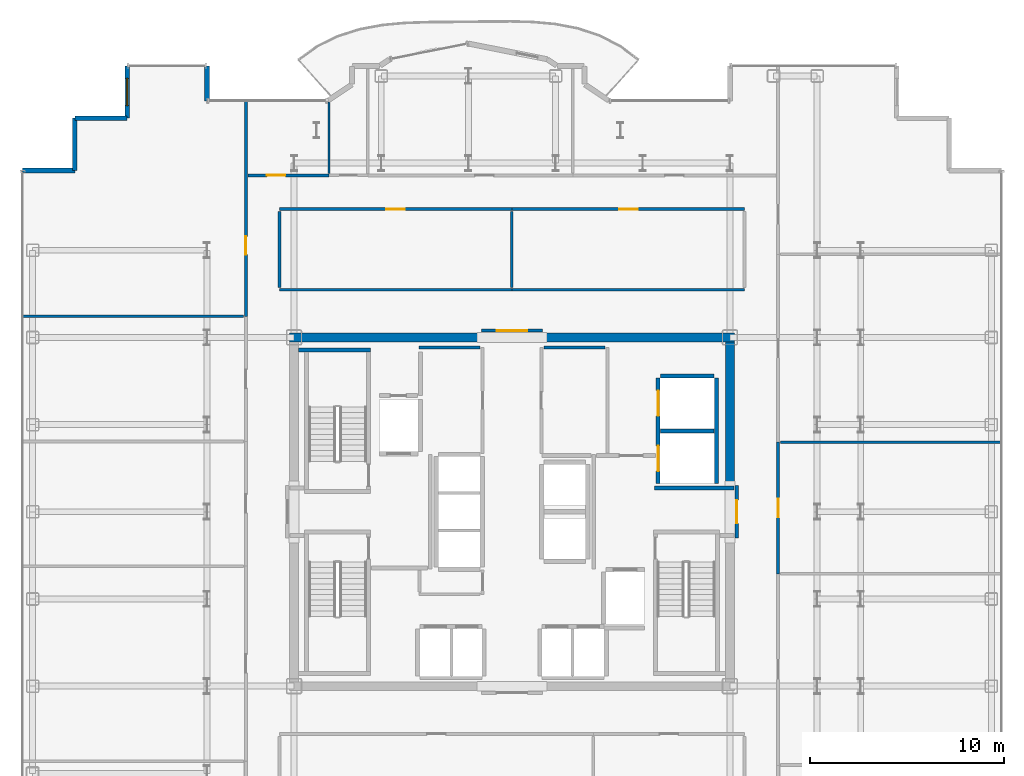
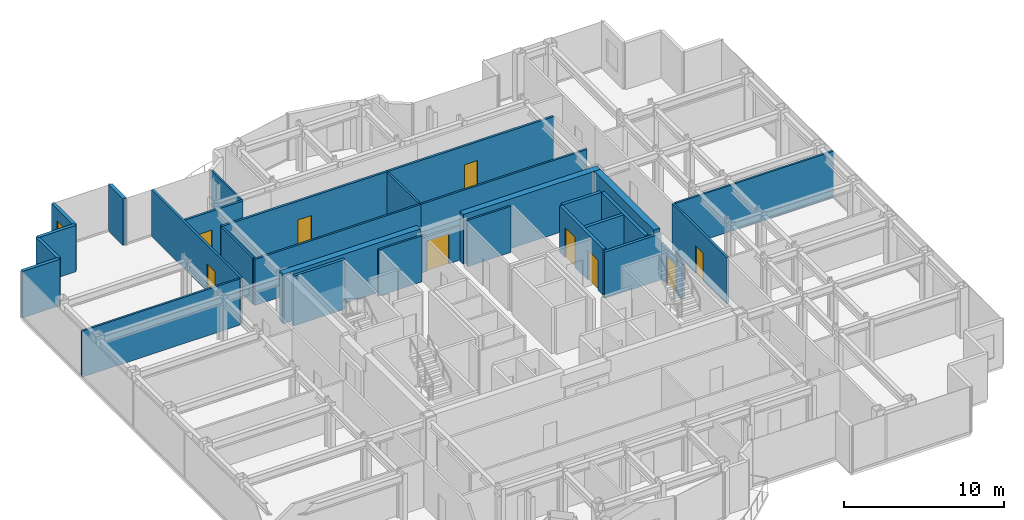
# One storey, part 17 of 20: 30 walls, 9 doors, 1 window, 10 openings.
"""IFC4 building model written with IfcOpenShell, lengths in metres."""

from ifc_helpers import new_model, si_unit, direction, frame, frame_2d, origin, place, context, subcontext, project, spatial, rectangle, extrude, source, transform, mapped, material, layer, layer_set, type_object, element, fill, save


model = new_model("IFC4")

# Units and contexts
model_context = context("Model", 3, precision=1e-05, world=origin(), true_north=direction((0.0, 1.0)))
body_context = subcontext(model_context, "Body", "Model", "MODEL_VIEW")
ifc_project = project(units=[si_unit("LENGTHUNIT", "METRE"), si_unit("AREAUNIT", "SQUARE_METRE"), si_unit("VOLUMEUNIT", "CUBIC_METRE"), si_unit("PLANEANGLEUNIT", "RADIAN"), si_unit("MASSUNIT", "GRAM", prefix="KILO")], contexts=[model_context])

# Site, building, storey
site_placement = place(None, origin())
site = spatial("IfcSite", under=ifc_project, at=site_placement, CompositionType="ELEMENT")
building_placement = place(site_placement, origin())
building = spatial("IfcBuilding", under=site, at=building_placement, Name="Nefas-Gora Pilgrimage Tower", CompositionType="ELEMENT")
storey_placement = place(building_placement, frame((0.0, 0.0, 225.60009765625)))
storey = spatial("IfcBuildingStorey", under=building, at=storey_placement, Name="L56", CompositionType="ELEMENT", Elevation=225.60009765625)

# Walls
ifc_material_1 = material(Name="Concrete C50/60", Category="concrete")
ifc_layer_1 = layer(ifc_material_1, 0.449951171875)
ifc_layer_set_1 = layer_set([ifc_layer_1], Name="Concrete C50/60")
wall_type_1 = type_object("IfcWallType", Name="SW-CORE-450", PredefinedType="SHEAR", material=ifc_layer_set_1)
shared_shape_1 = source(origin(), body_context, "Body", "SweptSolid", [
    extrude(rectangle(XDim=9.925048828125, YDim=0.449951171875, at=frame_2d((4.96240234375, 0.0))), origin(), (0.0, 0.0, 1.0), 3.7998046875),
])
for number, where, z_axis, x_axis, name in (
    (1, (-11.47509765625, 9.0, 0.0), (0.0, 0.0, 1.0), (1.0, 0.0, 0.0), "L56 Core Shear Wall N-West"),
    (2, (1.550048828125, 9.0, 0.0), (0.0, 0.0, 1.0), (1.0, 0.0, 0.0), "L56 Core Shear Wall N-East"),
):
    element("IfcWall", number, at=place(storey_placement, frame(where, z_axis=z_axis, x_axis=x_axis)), inside=storey, type_object=wall_type_1, Name=name, PredefinedType="SHEAR", context=body_context, shape_type="MappedRepresentation", body=[
        mapped(shared_shape_1, transform((0.0, 0.0, 0.0), x_axis=(1.0, 0.0, 0.0), y_axis=(0.0, 1.0, 0.0), z_axis=(0.0, 0.0, 1.0), scale=1.0)),
    ])
shared_shape_2 = source(origin(), body_context, "Body", "SweptSolid", [
    extrude(rectangle(XDim=7.4248046875, YDim=0.449951171875, at=frame_2d((3.71240234375, 0.0))), origin(), (0.0, 0.0, 1.0), 3.7998046875),
])
wall_1_placement = place(storey_placement, frame((11.25, 1.35009765625, 0.0), z_axis=(0.0, 0.0, 1.0), x_axis=(0.0, 1.0, 0.0)))
element("IfcWall", 3, at=wall_1_placement, inside=storey, type_object=wall_type_1, Name="L56 Core Shear Wall E-North", PredefinedType="SHEAR", context=body_context, shape_type="MappedRepresentation", body=[
    mapped(shared_shape_2, transform((0.0, 0.0, 0.0), x_axis=(1.0, 0.0, 0.0), y_axis=(0.0, 1.0, 0.0), z_axis=(0.0, 0.0, 1.0), scale=1.0)),
])
ifc_material_2 = material(Name="Precast concrete C40/50", Category="concrete")
ifc_layer_2 = layer(ifc_material_2, 0.260009765625)
ifc_layer_set_2 = layer_set([ifc_layer_2], Name="Precast concrete C40/50")
wall_type_2 = type_object("IfcWallType", Name="EW-PORTAL-260", PredefinedType="SOLIDWALL", material=ifc_layer_set_2)
shared_shape_3 = source(origin(), body_context, "Body", "SweptSolid", [
    extrude(rectangle(XDim=1.800048828125, YDim=0.260009765625, at=frame_2d((0.89990234375, 0.0))), origin(), (0.0, 0.0, 1.0), 3.5498046875),
])
wall_2_placement = place(storey_placement, frame((-15.75, 21.219970703125, 0.0), z_axis=(0.0, 0.0, 1.0), x_axis=(0.0, 1.0, 0.0)))
element("IfcWall", 4, at=wall_2_placement, inside=storey, type_object=wall_type_2, Name="L56 Lobe Shoulder Precast Spandrel Pier 20", PredefinedType="SOLIDWALL", context=body_context, shape_type="MappedRepresentation", body=[
    mapped(shared_shape_3, transform((0.0, 0.0, 0.0), x_axis=(1.0, 0.0, 0.0), y_axis=(0.0, 1.0, 0.0), z_axis=(0.0, 0.0, 1.0), scale=1.0)),
])

# Wall, opening, window
ifc_material_3 = material(Name="Precast concrete C45/55", Category="concrete")
ifc_layer_3 = layer(ifc_material_3, 0.239990234375)
ifc_layer_set_3 = layer_set([ifc_layer_3], Name="Precast concrete C45/55")
wall_type_3 = type_object("IfcWallType", Name="EW-SERR-240", PredefinedType="SHEAR", material=ifc_layer_set_3)
shared_shape_4 = source(origin(), body_context, "Body", "SweptSolid", [
    extrude(rectangle(XDim=2.699951171875, YDim=0.239990234375, at=frame_2d((1.35009765625, 0.0))), origin(), (0.0, 0.0, 1.0), 3.5498046875),
])
wall_3_placement = place(storey_placement, frame((-19.8701171875, 23.02001953125, 0.0), z_axis=(0.0, 0.0, 1.0), x_axis=(0.0, -1.0, 0.0)))
wall_3 = element("IfcWall", 5, at=wall_3_placement, inside=storey, type_object=wall_type_3, Name="L56 Serrated Corner Shear Pier Wall 21", PredefinedType="SHEAR", context=body_context, shape_type="MappedRepresentation", body=[
    mapped(shared_shape_4, transform((0.0, 0.0, 0.0), x_axis=(1.0, 0.0, 0.0), y_axis=(0.0, 1.0, 0.0), z_axis=(0.0, 0.0, 1.0), scale=1.0)),
])
opening_1_placement = place(wall_3_placement, frame((0.64990234375, 0.0, 0.85009765625)))
opening_1 = element("IfcOpeningElement", 6, at=opening_1_placement, cuts=wall_3, Name="Opening W-V2", PredefinedType="OPENING", context=body_context, shape_type="SweptSolid", body=[
    extrude(rectangle(XDim=1.39990234375, YDim=1.800048828125, at=frame_2d((0.699951171875, 0.89990234375))), frame((0.0, 0.1298828125, 0.0), z_axis=(0.0, -1.0, 0.0), x_axis=(1.0, 0.0, 0.0)), (0.0, 0.0, 1.0), 0.260009765625),
])
ifc_material_4 = material(Name="Dark ceramic-fritted operable aluminium-glass window", Category="aluminium")
window_type = type_object("IfcWindowType", Name="WIN-VENT-1400x1800", PartitioningType="SINGLE_PANEL", PredefinedType="WINDOW", material=ifc_material_4)
shared_shape_5 = source(origin(), body_context, "Body", "SweptSolid", [
    extrude(rectangle(XDim=1.39990234375, YDim=1.800048828125, at=frame_2d((0.699951171875, 0.89990234375))), frame((0.0, 0.030029296875, 0.0), z_axis=(0.0, -1.0, 0.0), x_axis=(1.0, 0.0, 0.0)), (0.0, 0.0, 1.0), 0.06005859375),
])
window_placement = place(opening_1_placement, origin())
window = element("IfcWindow", 7, at=window_placement, inside=storey, type_object=window_type, Name="L56 Operable Parallel-Outswing Window 21", OverallHeight=1.800048828125, OverallWidth=1.39990234375, PartitioningType="SINGLE_PANEL", PredefinedType="WINDOW", context=body_context, shape_type="MappedRepresentation", body=[
    mapped(shared_shape_5, transform((0.0, 0.0, 0.0), x_axis=(1.0, 0.0, 0.0), y_axis=(0.0, 1.0, 0.0), z_axis=(0.0, 0.0, 1.0), scale=1.0)),
])
fill(opening_1, window)

# Walls
for number, where, z_axis, x_axis, name in (
    (8, (-19.8701171875, 20.320068359375, 0.0), (0.0, 0.0, 1.0), (-1.0, 0.0, 0.0), "L56 Serrated Corner Shear Pier Wall 22"),
    (9, (-22.570068359375, 20.320068359375, 0.0), (0.0, 0.0, 1.0), (0.0, -1.0, 0.0), "L56 Serrated Corner Shear Pier Wall 23"),
    (10, (-22.570068359375, 17.6201171875, 0.0), (0.0, 0.0, 1.0), (-1.0, 0.0, 0.0), "L56 Serrated Corner Shear Pier Wall 24"),
):
    element("IfcWall", number, at=place(storey_placement, frame(where, z_axis=z_axis, x_axis=x_axis)), inside=storey, type_object=wall_type_3, Name=name, PredefinedType="SHEAR", context=body_context, shape_type="MappedRepresentation", body=[
        mapped(shared_shape_4, transform((0.0, 0.0, 0.0), x_axis=(1.0, 0.0, 0.0), y_axis=(0.0, 1.0, 0.0), z_axis=(0.0, 0.0, 1.0), scale=1.0)),
    ])
ifc_material_5 = material(Name="Concrete C45/55", Category="concrete")
ifc_layer_4 = layer(ifc_material_5, 0.199951171875)
ifc_layer_set_4 = layer_set([ifc_layer_4], Name="Concrete C45/55")
wall_type_4 = type_object("IfcWallType", Name="IW-STAIR-200", PredefinedType="SOLIDWALL", material=ifc_layer_set_4)
shared_shape_6 = source(origin(), body_context, "Body", "SweptSolid", [
    extrude(rectangle(XDim=3.72998046875, YDim=0.199951171875, at=frame_2d((1.864990234375, 0.0))), origin(), (0.0, 0.0, 1.0), 3.7998046875),
])
wall_4_placement = place(storey_placement, frame((-7.300048828125, 8.35009765625, 0.0), z_axis=(0.0, 0.0, 1.0), x_axis=(-1.0, 0.0, 0.0)))
element("IfcWall", 11, at=wall_4_placement, inside=storey, type_object=wall_type_4, Name="L56 Stairwell Shear Wall ST-01-far", PredefinedType="SOLIDWALL", context=body_context, shape_type="MappedRepresentation", body=[
    mapped(shared_shape_6, transform((0.0, 0.0, 0.0), x_axis=(1.0, 0.0, 0.0), y_axis=(0.0, 1.0, 0.0), z_axis=(0.0, 0.0, 1.0), scale=1.0)),
])

# Wall, openings, doors
ifc_material_6 = material(Name="Concrete C40/50", Category="concrete")
ifc_layer_5 = layer(ifc_material_6, 0.219970703125)
ifc_layer_set_5 = layer_set([ifc_layer_5], Name="Concrete C40/50")
wall_type_5 = type_object("IfcWallType", Name="IW-SHAFT-220", PredefinedType="SOLIDWALL", material=ifc_layer_set_5)
shared_shape_7 = source(origin(), body_context, "Body", "SweptSolid", [
    extrude(rectangle(XDim=5.449951171875, YDim=0.219970703125, at=frame_2d((2.72509765625, 0.0))), origin(), (0.0, 0.0, 1.0), 3.534912109375),
])
wall_5_placement = place(storey_placement, frame((7.5400390625, 6.89990234375, 0.0), z_axis=(0.0, 0.0, 1.0), x_axis=(0.0, -1.0, 0.0)))
wall_5 = element("IfcWall", 12, at=wall_5_placement, inside=storey, type_object=wall_type_5, Name="L56 Hoistway Wall SL-01-02-W", PredefinedType="SOLIDWALL", context=body_context, shape_type="MappedRepresentation", body=[
    mapped(shared_shape_7, transform((0.0, 0.0, 0.0), x_axis=(1.0, 0.0, 0.0), y_axis=(0.0, 1.0, 0.0), z_axis=(0.0, 0.0, 1.0), scale=1.0)),
])
opening_2_placement = place(wall_5_placement, frame((3.5, 0.0, 0.0)))
opening_2 = element("IfcOpeningElement", 13, at=opening_2_placement, cuts=wall_5, Name="Opening LD-SV", PredefinedType="OPENING", context=body_context, shape_type="SweptSolid", body=[
    extrude(rectangle(XDim=1.300048828125, YDim=2.300048828125, at=frame_2d((0.64990234375, 1.14990234375))), frame((0.0, 0.119873046875, 0.0), z_axis=(0.0, -1.0, 0.0), x_axis=(1.0, 0.0, 0.0)), (0.0, 0.0, 1.0), 0.239990234375),
])
opening_3_placement = place(wall_5_placement, frame((0.64990234375, 0.0, 0.0)))
opening_3 = element("IfcOpeningElement", 14, at=opening_3_placement, cuts=wall_5, Name="Opening LD-SV", PredefinedType="OPENING", context=body_context, shape_type="SweptSolid", body=[
    extrude(rectangle(XDim=1.300048828125, YDim=2.300048828125, at=frame_2d((0.64990234375, 1.14990234375))), frame((0.0, 0.119873046875, 0.0), z_axis=(0.0, -1.0, 0.0), x_axis=(1.0, 0.0, 0.0)), (0.0, 0.0, 1.0), 0.239990234375),
])
ifc_material_7 = material(Name="Heavy goods sliding lift landing door")
door_type_1 = type_object("IfcDoorType", Name="DR-LIFT-SERV-1300", OperationType="SLIDING_TO_RIGHT", PredefinedType="DOOR", material=ifc_material_7)
shared_shape_8 = source(origin(), body_context, "Body", "SweptSolid", [
    extrude(rectangle(XDim=1.300048828125, YDim=2.300048828125, at=frame_2d((0.64990234375, 1.14990234375))), frame((0.0, 0.02490234375, 0.0), z_axis=(0.0, -1.0, 0.0), x_axis=(1.0, 0.0, 0.0)), (0.0, 0.0, 1.0), 0.050048828125),
])
door_1_placement = place(opening_2_placement, origin())
door_1 = element("IfcDoor", 15, at=door_1_placement, inside=storey, type_object=door_type_1, Name="L56 Sliding Lift Landing Door SL-01", OperationType="SLIDING_TO_RIGHT", OverallHeight=2.300048828125, OverallWidth=1.300048828125, PredefinedType="DOOR", context=body_context, shape_type="MappedRepresentation", body=[
    mapped(shared_shape_8, transform((0.0, 0.0, 0.0), x_axis=(1.0, 0.0, 0.0), y_axis=(0.0, 1.0, 0.0), z_axis=(0.0, 0.0, 1.0), scale=1.0)),
])
fill(opening_2, door_1)
door_2_placement = place(opening_3_placement, origin())
door_2 = element("IfcDoor", 16, at=door_2_placement, inside=storey, type_object=door_type_1, Name="L56 Sliding Lift Landing Door SL-02", OperationType="SLIDING_TO_RIGHT", OverallHeight=2.300048828125, OverallWidth=1.300048828125, PredefinedType="DOOR", context=body_context, shape_type="MappedRepresentation", body=[
    mapped(shared_shape_8, transform((0.0, 0.0, 0.0), x_axis=(1.0, 0.0, 0.0), y_axis=(0.0, 1.0, 0.0), z_axis=(0.0, 0.0, 1.0), scale=1.0)),
])
fill(opening_3, door_2)

# Walls
wall_6_placement = place(storey_placement, frame((10.56005859375, 1.449951171875, 0.0), z_axis=(0.0, 0.0, 1.0), x_axis=(0.0, 1.0, 0.0)))
element("IfcWall", 17, at=wall_6_placement, inside=storey, type_object=wall_type_5, Name="L56 Hoistway Wall SL-01-02-E", PredefinedType="SOLIDWALL", context=body_context, shape_type="MappedRepresentation", body=[
    mapped(shared_shape_7, transform((0.0, 0.0, 0.0), x_axis=(1.0, 0.0, 0.0), y_axis=(0.0, 1.0, 0.0), z_axis=(0.0, 0.0, 1.0), scale=1.0)),
])
shared_shape_9 = source(origin(), body_context, "Body", "SweptSolid", [
    extrude(rectangle(XDim=2.780029296875, YDim=0.219970703125, at=frame_2d((1.39013671875, 0.0))), origin(), (0.0, 0.0, 1.0), 3.534912109375),
])
for number, where, z_axis, x_axis, name in (
    (18, (7.659912109375, 4.175048828125, 0.0), (0.0, 0.0, 1.0), (1.0, 0.0, 0.0), "L56 Hoistway Wall SL-01-02-DIV"),
    (19, (10.43994140625, 7.010009765625, 0.0), (0.0, 0.0, 1.0), (-1.0, 0.0, 0.0), "L56 Hoistway Wall SL-02-N"),
):
    element("IfcWall", number, at=place(storey_placement, frame(where, z_axis=z_axis, x_axis=x_axis)), inside=storey, type_object=wall_type_5, Name=name, PredefinedType="SOLIDWALL", context=body_context, shape_type="MappedRepresentation", body=[
        mapped(shared_shape_9, transform((0.0, 0.0, 0.0), x_axis=(1.0, 0.0, 0.0), y_axis=(0.0, 1.0, 0.0), z_axis=(0.0, 0.0, 1.0), scale=1.0)),
    ])
ifc_material_8 = material(Name="Gypsum fire-rated shaftwall")
ifc_layer_6 = layer(ifc_material_8, 0.199951171875)
ifc_layer_set_6 = layer_set([ifc_layer_6], Name="Gypsum fire-rated shaftwall")
wall_type_6 = type_object("IfcWallType", Name="IW-FFLOB-200", PredefinedType="PARTITIONING", material=ifc_layer_set_6)
shared_shape_10 = source(origin(), body_context, "Body", "SweptSolid", [
    extrude(rectangle(XDim=4.10986328125, YDim=0.199951171875, at=frame_2d((2.054931640625, 0.0))), origin(), (0.0, 0.0, 1.0), 3.534912109375),
])
wall_7_placement = place(storey_placement, frame((7.35009765625, 1.219970703125, 0.0), z_axis=(0.0, 0.0, 1.0), x_axis=(1.0, 0.0, 0.0)))
element("IfcWall", 20, at=wall_7_placement, inside=storey, type_object=wall_type_6, Name="L56 FF Lobby East Throat N Wall 13", PredefinedType="PARTITIONING", context=body_context, shape_type="MappedRepresentation", body=[
    mapped(shared_shape_10, transform((0.0, 0.0, 0.0), x_axis=(1.0, 0.0, 0.0), y_axis=(0.0, 1.0, 0.0), z_axis=(0.0, 0.0, 1.0), scale=1.0)),
])
ifc_material_9 = material(Name="Gypsum twin-stud partition")
ifc_layer_7 = layer(ifc_material_9, 0.139892578125)
ifc_layer_set_7 = layer_set([ifc_layer_7], Name="Gypsum twin-stud partition")
wall_type_7 = type_object("IfcWallType", Name="IW-UNIT-140", PredefinedType="PARTITIONING", material=ifc_layer_set_7)
shared_shape_11 = source(origin(), body_context, "Body", "SweptSolid", [
    extrude(rectangle(XDim=3.150146484375, YDim=0.139892578125, at=frame_2d((1.5751953125, 0.0))), origin(), (0.0, 0.0, 1.0), 3.534912109375),
])
for number, where, z_axis, x_axis, name in (
    (21, (-4.7900390625, 8.47998046875, 0.0), (0.0, 0.0, 1.0), (1.0, 0.0, 0.0), "L56 Housekeeping and Linen Store Partition Wall 19"),
    (22, (1.639892578125, 8.47998046875, 0.0), (0.0, 0.0, 1.0), (1.0, 0.0, 0.0), "L56 Freed Bank-1 Amenity Supply Store Partition Wall 24"),
):
    element("IfcWall", number, at=place(storey_placement, frame(where, z_axis=z_axis, x_axis=x_axis)), inside=storey, type_object=wall_type_7, Name=name, PredefinedType="PARTITIONING", context=body_context, shape_type="MappedRepresentation", body=[
        mapped(shared_shape_11, transform((0.0, 0.0, 0.0), x_axis=(1.0, 0.0, 0.0), y_axis=(0.0, 1.0, 0.0), z_axis=(0.0, 0.0, 1.0), scale=1.0)),
    ])

# Wall, opening, door
ifc_material_10 = material(Name="Gypsum acoustic stud partition")
ifc_layer_8 = layer(ifc_material_10, 0.159912109375)
ifc_layer_set_8 = layer_set([ifc_layer_8], Name="Gypsum acoustic stud partition")
wall_type_8 = type_object("IfcWallType", Name="IW-CORR-160", PredefinedType="PARTITIONING", material=ifc_layer_set_8)
shared_shape_12 = source(origin(), body_context, "Body", "SweptSolid", [
    extrude(rectangle(XDim=11.152587890625, YDim=0.159912109375, at=frame_2d((5.576171875, 0.0))), origin(), (0.0, 0.0, 1.0), 3.534912109375),
])
wall_8_placement = place(storey_placement, frame((-13.739990234375, 10.08740234375, 0.0), z_axis=(0.0, 0.0, 1.0), x_axis=(0.0, 1.0, 0.0)))
wall_8 = element("IfcWall", 23, at=wall_8_placement, inside=storey, type_object=wall_type_8, Name="L56 Pilgrim Floor Concierge Foyer Partition Wall 32", PredefinedType="PARTITIONING", context=body_context, shape_type="MappedRepresentation", body=[
    mapped(shared_shape_12, transform((0.0, 0.0, 0.0), x_axis=(1.0, 0.0, 0.0), y_axis=(0.0, 1.0, 0.0), z_axis=(0.0, 0.0, 1.0), scale=1.0)),
])
opening_4_placement = place(wall_8_placement, frame((3.186279296875, 0.0, 0.0)))
opening_4 = element("IfcOpeningElement", 24, at=opening_4_placement, cuts=wall_8, Name="Opening ID-GR1", PredefinedType="OPENING", context=body_context, shape_type="SweptSolid", body=[
    extrude(rectangle(XDim=0.949951171875, YDim=2.10009765625, at=frame_2d((0.47509765625, 1.050048828125))), frame((0.0, 0.08984375, 0.0), z_axis=(0.0, -1.0, 0.0), x_axis=(1.0, 0.0, 0.0)), (0.0, 0.0, 1.0), 0.179931640625),
])
ifc_material_11 = material(Name="Solid core oak fire-rated guest entrance door")
door_type_2 = type_object("IfcDoorType", Name="DR-INT-GUEST-950", OperationType="NOTDEFINED", PredefinedType="DOOR", material=ifc_material_11)
shared_shape_13 = source(origin(), body_context, "Body", "SweptSolid", [
    extrude(rectangle(XDim=0.949951171875, YDim=2.10009765625, at=frame_2d((0.47509765625, 1.050048828125))), frame((0.0, 0.02490234375, 0.0), z_axis=(0.0, -1.0, 0.0), x_axis=(1.0, 0.0, 0.0)), (0.0, 0.0, 1.0), 0.050048828125),
])
door_3_placement = place(opening_4_placement, origin())
door_3 = element("IfcDoor", 25, at=door_3_placement, inside=storey, type_object=door_type_2, Name="L56 Pilgrim Floor Concierge Foyer Door 13", OperationType="SINGLE_SWING_LEFT", OverallHeight=2.10009765625, OverallWidth=0.949951171875, PredefinedType="DOOR", context=body_context, shape_type="MappedRepresentation", body=[
    mapped(shared_shape_13, transform((0.0, 0.0, 0.0), x_axis=(1.0, 0.0, 0.0), y_axis=(0.0, 1.0, 0.0), z_axis=(0.0, 0.0, 1.0), scale=1.0)),
])
fill(opening_4, door_3)

shared_shape_14 = source(origin(), body_context, "Body", "SweptSolid", [
    extrude(rectangle(XDim=6.81005859375, YDim=0.159912109375, at=frame_2d((3.405029296875, 0.0))), origin(), (0.0, 0.0, 1.0), 3.534912109375),
])
wall_9_placement = place(storey_placement, frame((13.739990234375, -3.205078125, 0.0), z_axis=(0.0, 0.0, 1.0), x_axis=(0.0, 1.0, 0.0)))
wall_9 = element("IfcWall", 26, at=wall_9_placement, inside=storey, type_object=wall_type_8, Name="L56 Pilgrim Fellowship Seminar Room Partition Wall 41", PredefinedType="PARTITIONING", context=body_context, shape_type="MappedRepresentation", body=[
    mapped(shared_shape_14, transform((0.0, 0.0, 0.0), x_axis=(1.0, 0.0, 0.0), y_axis=(0.0, 1.0, 0.0), z_axis=(0.0, 0.0, 1.0), scale=1.0)),
])
opening_5_placement = place(wall_9_placement, frame((2.929931640625, 0.0, 0.0)))
opening_5 = element("IfcOpeningElement", 27, at=opening_5_placement, cuts=wall_9, Name="Opening ID-GR1", PredefinedType="OPENING", context=body_context, shape_type="SweptSolid", body=[
    extrude(rectangle(XDim=0.949951171875, YDim=2.10009765625, at=frame_2d((0.47509765625, 1.050048828125))), frame((0.0, 0.08984375, 0.0), z_axis=(0.0, -1.0, 0.0), x_axis=(1.0, 0.0, 0.0)), (0.0, 0.0, 1.0), 0.179931640625),
])
door_4_placement = place(opening_5_placement, origin())
door_4 = element("IfcDoor", 28, at=door_4_placement, inside=storey, type_object=door_type_2, Name="L56 Pilgrim Fellowship Seminar Room Door 18", OperationType="SINGLE_SWING_RIGHT", OverallHeight=2.10009765625, OverallWidth=0.949951171875, PredefinedType="DOOR", context=body_context, shape_type="MappedRepresentation", body=[
    mapped(shared_shape_13, transform((0.0, 0.0, 0.0), x_axis=(1.0, 0.0, 0.0), y_axis=(0.0, 1.0, 0.0), z_axis=(0.0, 0.0, 1.0), scale=1.0)),
])
fill(opening_5, door_4)

# Walls
ifc_material_12 = material(Name="Moisture-resistant fire-rated gypsum partition")
ifc_layer_9 = layer(ifc_material_12, 0.1201171875)
ifc_layer_set_9 = layer_set([ifc_layer_9], Name="Moisture-resistant fire-rated gypsum partition")
wall_type_9 = type_object("IfcWallType", Name="IW-WET-120", PredefinedType="PLUMBINGWALL", material=ifc_layer_set_9)
shared_shape_15 = source(origin(), body_context, "Body", "SweptSolid", [
    extrude(rectangle(XDim=3.686767578125, YDim=0.1201171875, at=frame_2d((1.84326171875, 0.0))), origin(), (0.0, 0.0, 1.0), 3.534912109375),
])
wall_10_placement = place(storey_placement, frame((-9.449951171875, 17.469970703125, 0.0), z_axis=(0.0, 0.0, 1.0), x_axis=(0.0, 1.0, 0.0)))
element("IfcWall", 29, at=wall_10_placement, inside=storey, type_object=wall_type_9, Name="L56 Accessible Unisex WC Partition Wall 27", PredefinedType="PLUMBINGWALL", context=body_context, shape_type="MappedRepresentation", body=[
    mapped(shared_shape_15, transform((0.0, 0.0, 0.0), x_axis=(1.0, 0.0, 0.0), y_axis=(0.0, 1.0, 0.0), z_axis=(0.0, 0.0, 1.0), scale=1.0)),
])
shared_shape_16 = source(origin(), body_context, "Body", "SweptSolid", [
    extrude(rectangle(XDim=11.429931640625, YDim=0.139892578125, at=frame_2d((5.71484375, 0.0))), origin(), (0.0, 0.0, 1.0), 3.534912109375),
])
for number, where, z_axis, x_axis, name in (
    (30, (-25.2900390625, 10.097412109375, 0.0), (0.0, 0.0, 1.0), (1.0, 0.0, 0.0), "L56 Pilgrim Floor Concierge Foyer Partition Wall 33"),
    (31, (13.860107421875, 3.594970703125, 0.0), (0.0, 0.0, 1.0), (1.0, 0.0, 0.0), "L56 Pilgrim Fellowship Seminar Room Partition Wall 42"),
):
    element("IfcWall", number, at=place(storey_placement, frame(where, z_axis=z_axis, x_axis=x_axis)), inside=storey, type_object=wall_type_7, Name=name, PredefinedType="PARTITIONING", context=body_context, shape_type="MappedRepresentation", body=[
        mapped(shared_shape_16, transform((0.0, 0.0, 0.0), x_axis=(1.0, 0.0, 0.0), y_axis=(0.0, 1.0, 0.0), z_axis=(0.0, 0.0, 1.0), scale=1.0)),
    ])
shared_shape_17 = source(origin(), body_context, "Body", "SweptSolid", [
    extrude(rectangle(XDim=3.929931640625, YDim=0.139892578125, at=frame_2d((1.96484375, 0.0))), origin(), (0.0, 0.0, 1.0), 3.534912109375),
])
for number, where, z_axis, x_axis, name in (
    (32, (-12.0, 11.580078125, 0.0), (0.0, 0.0, 1.0), (0.0, 1.0, 0.0), "L56 Pilgrim Contemplative Lounge Partition Wall 51"),
    (33, (-0.010009765625, 11.580078125, 0.0), (0.0, 0.0, 1.0), (0.0, 1.0, 0.0), "L56 Pilgrim Contemplative Lounge Partition Wall 52"),
):
    element("IfcWall", number, at=place(storey_placement, frame(where, z_axis=z_axis, x_axis=x_axis)), inside=storey, type_object=wall_type_7, Name=name, PredefinedType="PARTITIONING", context=body_context, shape_type="MappedRepresentation", body=[
        mapped(shared_shape_17, transform((0.0, 0.0, 0.0), x_axis=(1.0, 0.0, 0.0), y_axis=(0.0, 1.0, 0.0), z_axis=(0.0, 0.0, 1.0), scale=1.0)),
    ])

# Wall, opening, door
shared_shape_18 = source(origin(), body_context, "Body", "SweptSolid", [
    extrude(rectangle(XDim=4.16015625, YDim=0.159912109375, at=frame_2d((2.080078125, 0.0))), origin(), (0.0, 0.0, 1.0), 3.534912109375),
])
wall_11_placement = place(storey_placement, frame((-13.6201171875, 17.3701171875, 0.0), z_axis=(0.0, 0.0, 1.0), x_axis=(1.0, 0.0, 0.0)))
wall_11 = element("IfcWall", 34, at=wall_11_placement, inside=storey, type_object=wall_type_8, Name="L56 Pilgrim Contemplative Lounge Partition Wall 56", PredefinedType="PARTITIONING", context=body_context, shape_type="MappedRepresentation", body=[
    mapped(shared_shape_18, transform((0.0, 0.0, 0.0), x_axis=(1.0, 0.0, 0.0), y_axis=(0.0, 1.0, 0.0), z_axis=(0.0, 0.0, 1.0), scale=1.0)),
])
opening_6_placement = place(wall_11_placement, frame((0.968994140625, 0.0, 0.0)))
opening_6 = element("IfcOpeningElement", 35, at=opening_6_placement, cuts=wall_11, Name="Opening ID-GR1", PredefinedType="OPENING", context=body_context, shape_type="SweptSolid", body=[
    extrude(rectangle(XDim=0.949951171875, YDim=2.10009765625, at=frame_2d((0.47509765625, 1.050048828125))), frame((0.0, 0.08984375, 0.0), z_axis=(0.0, -1.0, 0.0), x_axis=(1.0, 0.0, 0.0)), (0.0, 0.0, 1.0), 0.179931640625),
])
door_5_placement = place(opening_6_placement, origin())
door_5 = element("IfcDoor", 36, at=door_5_placement, inside=storey, type_object=door_type_2, Name="L56 Pilgrim Contemplative Lounge Door 25", OperationType="SINGLE_SWING_LEFT", OverallHeight=2.10009765625, OverallWidth=0.949951171875, PredefinedType="DOOR", context=body_context, shape_type="MappedRepresentation", body=[
    mapped(shared_shape_13, transform((0.0, 0.0, 0.0), x_axis=(1.0, 0.0, 0.0), y_axis=(0.0, 1.0, 0.0), z_axis=(0.0, 0.0, 1.0), scale=1.0)),
])
fill(opening_6, door_5)

shared_shape_19 = source(origin(), body_context, "Body", "SweptSolid", [
    extrude(rectangle(XDim=2.7001953125, YDim=0.199951171875, at=frame_2d((1.35009765625, 0.0))), origin(), (0.0, 0.0, 1.0), 2.625),
])
wall_12_placement = place(storey_placement, frame((11.60009765625, -1.35009765625, 0.0), z_axis=(0.0, 0.0, 1.0), x_axis=(0.0, 1.0, 0.0)))
wall_12 = element("IfcWall", 37, at=wall_12_placement, inside=storey, type_object=wall_type_6, Name="L56 FF Lobby East Portal Wall 9", PredefinedType="PARTITIONING", context=body_context, shape_type="MappedRepresentation", body=[
    mapped(shared_shape_19, transform((0.0, 0.0, 0.0), x_axis=(1.0, 0.0, 0.0), y_axis=(0.0, 1.0, 0.0), z_axis=(0.0, 0.0, 1.0), scale=1.0)),
])
opening_7_placement = place(wall_12_placement, frame((0.75, 0.0, 0.0)))
opening_7 = element("IfcOpeningElement", 38, at=opening_7_placement, cuts=wall_12, Name="Opening ID-FF1", PredefinedType="OPENING", context=body_context, shape_type="SweptSolid", body=[
    extrude(rectangle(XDim=1.199951171875, YDim=2.14990234375, at=frame_2d((0.60009765625, 1.074951171875))), frame((0.0, 0.10986328125, 0.0), z_axis=(0.0, -1.0, 0.0), x_axis=(1.0, 0.0, 0.0)), (0.0, 0.0, 1.0), 0.219970703125),
])
ifc_material_13 = material(Name="Smoke-sealed steel firefighting lobby door", Category="steel")
door_type_3 = type_object("IfcDoorType", Name="DR-INT-FFLOB-1200", OperationType="NOTDEFINED", PredefinedType="DOOR", material=ifc_material_13)
shared_shape_20 = source(origin(), body_context, "Body", "SweptSolid", [
    extrude(rectangle(XDim=1.199951171875, YDim=2.14990234375, at=frame_2d((0.60009765625, 1.074951171875))), frame((0.0, 0.02490234375, 0.0), z_axis=(0.0, -1.0, 0.0), x_axis=(1.0, 0.0, 0.0)), (0.0, 0.0, 1.0), 0.050048828125),
])
door_6_placement = place(opening_7_placement, origin())
door_6 = element("IfcDoor", 39, at=door_6_placement, inside=storey, type_object=door_type_3, Name="L56 FF Lobby East Portal Door 3", OperationType="SINGLE_SWING_LEFT", OverallHeight=2.14990234375, OverallWidth=1.199951171875, PredefinedType="DOOR", context=body_context, shape_type="MappedRepresentation", body=[
    mapped(shared_shape_20, transform((0.0, 0.0, 0.0), x_axis=(1.0, 0.0, 0.0), y_axis=(0.0, 1.0, 0.0), z_axis=(0.0, 0.0, 1.0), scale=1.0)),
])
fill(opening_7, door_6)

shared_shape_21 = source(origin(), body_context, "Body", "SweptSolid", [
    extrude(rectangle(XDim=3.16015625, YDim=0.159912109375, at=frame_2d((1.580078125, 0.0))), origin(), (0.0, 0.0, 1.0), 2.625),
])
wall_13_placement = place(storey_placement, frame((-1.580078125, 9.35009765625, 0.0), z_axis=(0.0, 0.0, 1.0), x_axis=(1.0, 0.0, 0.0)))
wall_13 = element("IfcWall", 40, at=wall_13_placement, inside=storey, type_object=wall_type_8, Name="L56 Central Lift Lobby North Portal Wall 15", PredefinedType="PARTITIONING", context=body_context, shape_type="MappedRepresentation", body=[
    mapped(shared_shape_21, transform((0.0, 0.0, 0.0), x_axis=(1.0, 0.0, 0.0), y_axis=(0.0, 1.0, 0.0), z_axis=(0.0, 0.0, 1.0), scale=1.0)),
])
opening_8_placement = place(wall_13_placement, frame((0.780029296875, 0.0, 0.0)))
opening_8 = element("IfcOpeningElement", 41, at=opening_8_placement, cuts=wall_13, Name="Opening ID-HL1", PredefinedType="OPENING", context=body_context, shape_type="SweptSolid", body=[
    extrude(rectangle(XDim=1.60009765625, YDim=2.300048828125, at=frame_2d((0.800048828125, 1.14990234375))), frame((0.0, 0.08984375, 0.0), z_axis=(0.0, -1.0, 0.0), x_axis=(1.0, 0.0, 0.0)), (0.0, 0.0, 1.0), 0.179931640625),
])
ifc_material_14 = material(Name="Double acoustic timber assembly hall door", Category="wood")
door_type_4 = type_object("IfcDoorType", Name="DR-INT-HALL-1600", OperationType="DOUBLE_DOOR_SINGLE_SWING", PredefinedType="DOOR", material=ifc_material_14)
shared_shape_22 = source(origin(), body_context, "Body", "SweptSolid", [
    extrude(rectangle(XDim=1.60009765625, YDim=2.300048828125, at=frame_2d((0.800048828125, 1.14990234375))), frame((0.0, 0.02490234375, 0.0), z_axis=(0.0, -1.0, 0.0), x_axis=(1.0, 0.0, 0.0)), (0.0, 0.0, 1.0), 0.050048828125),
])
door_7_placement = place(opening_8_placement, origin())
door_7 = element("IfcDoor", 42, at=door_7_placement, inside=storey, type_object=door_type_4, Name="L56 Central Lift Lobby North Portal Door 5", OperationType="DOUBLE_DOOR_SINGLE_SWING", OverallHeight=2.300048828125, OverallWidth=1.60009765625, PredefinedType="DOOR", context=body_context, shape_type="MappedRepresentation", body=[
    mapped(shared_shape_22, transform((0.0, 0.0, 0.0), x_axis=(1.0, 0.0, 0.0), y_axis=(0.0, 1.0, 0.0), z_axis=(0.0, 0.0, 1.0), scale=1.0)),
])
fill(opening_8, door_7)

shared_shape_23 = source(origin(), body_context, "Body", "SweptSolid", [
    extrude(rectangle(XDim=12.010009765625, YDim=0.159912109375, at=frame_2d((6.0048828125, 0.0))), origin(), (0.0, 0.0, 1.0), 3.534912109375),
])
wall_14_placement = place(storey_placement, frame((-12.010009765625, 15.6298828125, 0.0), z_axis=(0.0, 0.0, 1.0), x_axis=(1.0, 0.0, 0.0)))
wall_14 = element("IfcWall", 43, at=wall_14_placement, inside=storey, type_object=wall_type_8, Name="L56 Pilgrim Contemplative Lounge Partition Wall 49", PredefinedType="PARTITIONING", context=body_context, shape_type="MappedRepresentation", body=[
    mapped(shared_shape_23, transform((0.0, 0.0, 0.0), x_axis=(1.0, 0.0, 0.0), y_axis=(0.0, 1.0, 0.0), z_axis=(0.0, 0.0, 1.0), scale=1.0)),
])
opening_9_placement = place(wall_14_placement, frame((5.530029296875, 0.0, 0.0)))
opening_9 = element("IfcOpeningElement", 44, at=opening_9_placement, cuts=wall_14, Name="Opening ID-GR1", PredefinedType="OPENING", context=body_context, shape_type="SweptSolid", body=[
    extrude(rectangle(XDim=0.949951171875, YDim=2.10009765625, at=frame_2d((0.47509765625, 1.050048828125))), frame((0.0, 0.08984375, 0.0), z_axis=(0.0, -1.0, 0.0), x_axis=(1.0, 0.0, 0.0)), (0.0, 0.0, 1.0), 0.179931640625),
])
door_8_placement = place(opening_9_placement, origin())
door_8 = element("IfcDoor", 45, at=door_8_placement, inside=storey, type_object=door_type_2, Name="L56 Pilgrim Contemplative Lounge Door 23", OperationType="SINGLE_SWING_LEFT", OverallHeight=2.10009765625, OverallWidth=0.949951171875, PredefinedType="DOOR", context=body_context, shape_type="MappedRepresentation", body=[
    mapped(shared_shape_13, transform((0.0, 0.0, 0.0), x_axis=(1.0, 0.0, 0.0), y_axis=(0.0, 1.0, 0.0), z_axis=(0.0, 0.0, 1.0), scale=1.0)),
])
fill(opening_9, door_8)

wall_15_placement = place(storey_placement, frame((0.0, 15.6298828125, 0.0), z_axis=(0.0, 0.0, 1.0), x_axis=(1.0, 0.0, 0.0)))
wall_15 = element("IfcWall", 46, at=wall_15_placement, inside=storey, type_object=wall_type_8, Name="L56 Pilgrim Contemplative Lounge Partition Wall 53", PredefinedType="PARTITIONING", context=body_context, shape_type="MappedRepresentation", body=[
    mapped(shared_shape_23, transform((0.0, 0.0, 0.0), x_axis=(1.0, 0.0, 0.0), y_axis=(0.0, 1.0, 0.0), z_axis=(0.0, 0.0, 1.0), scale=1.0)),
])
opening_10_placement = place(wall_15_placement, frame((5.530029296875, 0.0, 0.0)))
opening_10 = element("IfcOpeningElement", 47, at=opening_10_placement, cuts=wall_15, Name="Opening ID-GR1", PredefinedType="OPENING", context=body_context, shape_type="SweptSolid", body=[
    extrude(rectangle(XDim=0.949951171875, YDim=2.10009765625, at=frame_2d((0.47509765625, 1.050048828125))), frame((0.0, 0.08984375, 0.0), z_axis=(0.0, -1.0, 0.0), x_axis=(1.0, 0.0, 0.0)), (0.0, 0.0, 1.0), 0.179931640625),
])
door_9_placement = place(opening_10_placement, origin())
door_9 = element("IfcDoor", 48, at=door_9_placement, inside=storey, type_object=door_type_2, Name="L56 Pilgrim Contemplative Lounge Door 24", OperationType="SINGLE_SWING_RIGHT", OverallHeight=2.10009765625, OverallWidth=0.949951171875, PredefinedType="DOOR", context=body_context, shape_type="MappedRepresentation", body=[
    mapped(shared_shape_13, transform((0.0, 0.0, 0.0), x_axis=(1.0, 0.0, 0.0), y_axis=(0.0, 1.0, 0.0), z_axis=(0.0, 0.0, 1.0), scale=1.0)),
])
fill(opening_10, door_9)

# Walls
shared_shape_24 = source(origin(), body_context, "Body", "SweptSolid", [
    extrude(rectangle(XDim=12.010009765625, YDim=0.139892578125, at=frame_2d((6.0048828125, 0.0))), origin(), (0.0, 0.0, 1.0), 3.534912109375),
])
for number, where, z_axis, x_axis, name in (
    (49, (-12.010009765625, 11.469970703125, 0.0), (0.0, 0.0, 1.0), (1.0, 0.0, 0.0), "L56 Pilgrim Contemplative Lounge Partition Wall 50"),
    (50, (0.0, 11.469970703125, 0.0), (0.0, 0.0, 1.0), (1.0, 0.0, 0.0), "L56 Pilgrim Contemplative Lounge Partition Wall 54"),
):
    element("IfcWall", number, at=place(storey_placement, frame(where, z_axis=z_axis, x_axis=x_axis)), inside=storey, type_object=wall_type_7, Name=name, PredefinedType="PARTITIONING", context=body_context, shape_type="MappedRepresentation", body=[
        mapped(shared_shape_24, transform((0.0, 0.0, 0.0), x_axis=(1.0, 0.0, 0.0), y_axis=(0.0, 1.0, 0.0), z_axis=(0.0, 0.0, 1.0), scale=1.0)),
    ])

save(model, "model.ifc")
